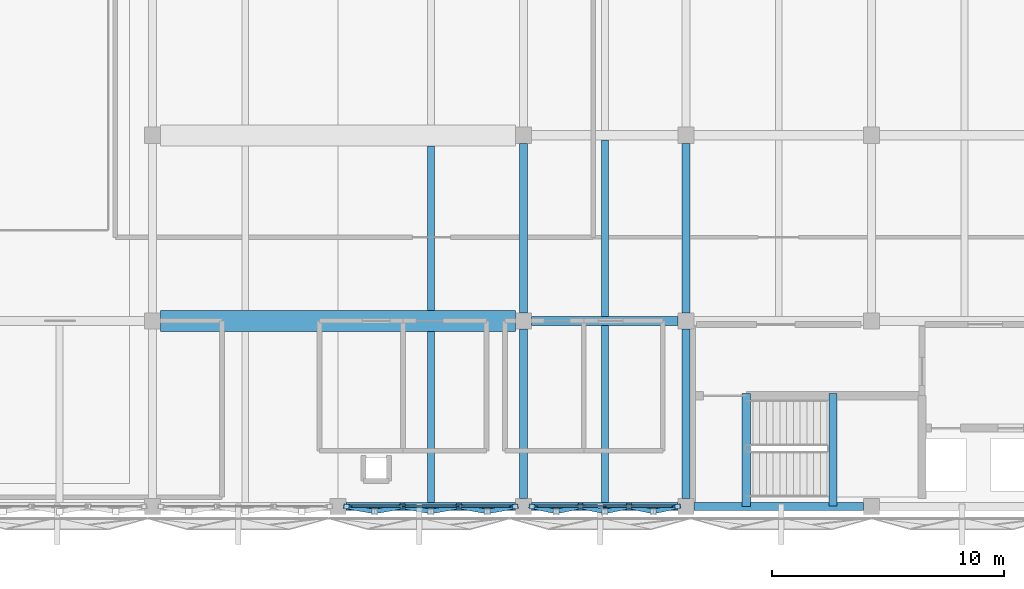
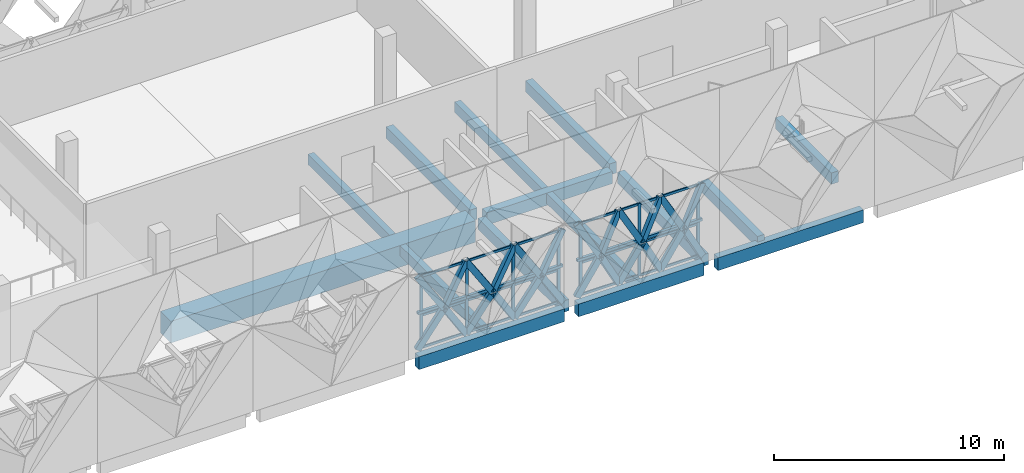
# One storey, part 12 of 37: 52 members, 15 beams, 2 elements without a shape of their own.
"""IFC4 building model written with IfcOpenShell, lengths in metres."""

from ifc_helpers import new_model, si_unit, direction, frame, origin, origin_2d, place, context, subcontext, project, spatial, rectangle, hollow_rectangle, extrude, material, layer, layer_set, material_profile, profile_set, type_object, element, aggregate, save


model = new_model("IFC4")

# Units and contexts
model_context = context("Model", 3, precision=1e-05, world=origin(), true_north=direction((0.0, 1.0)))
body_context = subcontext(model_context, "Body", "Model", "MODEL_VIEW")
ifc_project = project(units=[si_unit("LENGTHUNIT", "METRE"), si_unit("AREAUNIT", "SQUARE_METRE"), si_unit("VOLUMEUNIT", "CUBIC_METRE"), si_unit("PLANEANGLEUNIT", "RADIAN"), si_unit("MASSUNIT", "GRAM", prefix="KILO")], contexts=[model_context])

# Site, building, storey
site_placement = place(None, origin())
site = spatial("IfcSite", under=ifc_project, at=site_placement, CompositionType="ELEMENT")
building_placement = place(site_placement, origin())
building = spatial("IfcBuilding", under=site, at=building_placement, Name="Qorikala Patio Media Centre", CompositionType="ELEMENT")
storey_placement = place(building_placement, frame((0.0, 0.0, 14.39990234375)))
storey = spatial("IfcBuildingStorey", under=building, at=storey_placement, Name="L03", CompositionType="ELEMENT", Elevation=14.39990234375)

# Beams
ifc_material_1 = material(Name="Concrete C35/45", Category="concrete")
ifc_material_profile_1 = material_profile(ifc_material_1, rectangle(XDim=0.35009765625, YDim=0.60009765625, at=origin_2d()), Name="RC 350x600")
ifc_profile_set_1 = profile_set([ifc_material_profile_1], Name="Concrete C35/45")
beam_type_1 = type_object("IfcBeamType", Name="BM-G350X600", PredefinedType="BEAM", material=ifc_profile_set_1)
for number, where, z_axis, x_axis, name in (
    (1, (75.0, 3.35009765625, -0.599853515625), (0.0, 1.0, 0.0), (-1.0, 0.0, 0.0), "L03 Grid X=75 Beam 1250"),
    (2, (75.0, 11.35009765625, -0.599853515625), (0.0, 1.0, 0.0), (-1.0, 0.0, 0.0), "L03 Grid X=75 Beam 1251"),
    (3, (82.0, 3.35009765625, -0.599853515625), (0.0, 1.0, 0.0), (-1.0, 0.0, 0.0), "L03 Grid X=82 Beam 1256"),
    (4, (82.0, 11.35009765625, -0.599853515625), (0.0, 1.0, 0.0), (-1.0, 0.0, 0.0), "L03 Grid X=82 Beam 1257"),
):
    element("IfcBeam", number, at=place(storey_placement, frame(where, z_axis=z_axis, x_axis=x_axis)), inside=storey, type_object=beam_type_1, Name=name, PredefinedType="BEAM", context=body_context, shape_type="SweptSolid", body=[
        extrude(rectangle(XDim=0.35009765625, YDim=0.60009765625, at=origin_2d()), origin(), (0.0, 0.0, 1.0), 7.2998046875),
    ])
beam_1_placement = place(storey_placement, frame((84.60009765625, 3.0, -0.2998046875), z_axis=(0.0, 1.0, 0.0), x_axis=(-1.0, 0.0, 0.0)))
element("IfcBeam", 5, at=beam_1_placement, inside=storey, type_object=beam_type_1, Name="L03 ST-4 Well Trimmer Beam", PredefinedType="BEAM", context=body_context, shape_type="SweptSolid", body=[
    extrude(rectangle(XDim=0.35009765625, YDim=0.60009765625, at=origin_2d()), origin(), (0.0, 0.0, 1.0), 4.8798828125),
])
beam_2_placement = place(storey_placement, frame((88.330078125, 3.02001953125, 1.75), z_axis=(0.0, 1.0, 0.0), x_axis=(-1.0, 0.0, 0.0)))
element("IfcBeam", 6, at=beam_2_placement, inside=storey, type_object=beam_type_1, Name="L03 ST-4 Landing Beam 1", PredefinedType="BEAM", context=body_context, shape_type="SweptSolid", body=[
    extrude(rectangle(XDim=0.35009765625, YDim=0.60009765625, at=origin_2d()), origin(), (0.0, 0.0, 1.0), 4.85986328125),
])
ifc_material_profile_2 = material_profile(ifc_material_1, rectangle(XDim=0.39990234375, YDim=0.64990234375, at=origin_2d()), Name="RC 400x650")
ifc_profile_set_2 = profile_set([ifc_material_profile_2], Name="Concrete C35/45")
beam_type_2 = type_object("IfcBeamType", Name="BM-G400X650", PredefinedType="BEAM", material=ifc_profile_set_2)
beam_3_placement = place(storey_placement, frame((75.35009765625, 11.0, -0.625), z_axis=(1.0, 0.0, 0.0), x_axis=(0.0, 1.0, 0.0)))
element("IfcBeam", 7, at=beam_3_placement, inside=storey, type_object=beam_type_2, Name="L03 Grid 11 Beam 1123", PredefinedType="BEAM", context=body_context, shape_type="SweptSolid", body=[
    extrude(rectangle(XDim=0.39990234375, YDim=0.64990234375, at=origin_2d()), origin(), (0.0, 0.0, 1.0), 6.2998046875),
])
ifc_material_profile_3 = material_profile(ifc_material_1, rectangle(XDim=0.89990234375, YDim=1.14990234375, at=origin_2d()), Name="RC 900x1150")
ifc_profile_set_3 = profile_set([ifc_material_profile_3], Name="Concrete C35/45")
beam_type_3 = type_object("IfcBeamType", Name="BM-TR900X1150", PredefinedType="BEAM", material=ifc_profile_set_3)
beam_4_placement = place(storey_placement, frame((59.35009765625, 11.0, -0.875), z_axis=(1.0, 0.0, 0.0), x_axis=(0.0, 1.0, 0.0)))
element("IfcBeam", 8, at=beam_4_placement, inside=storey, type_object=beam_type_3, Name="L03 Grid 11 Beam 1122", PredefinedType="BEAM", context=body_context, shape_type="SweptSolid", body=[
    extrude(rectangle(XDim=0.89990234375, YDim=1.14990234375, at=origin_2d()), origin(), (0.0, 0.0, 1.0), 15.2998046875),
])

# Members
ifc_material_2 = material(Name="Golden Bronze Coated Steel S355", Category="steel")
ifc_material_profile_4 = material_profile(ifc_material_2, hollow_rectangle(XDim=0.139892578125, YDim=0.139892578125, WallThickness=0.006103515625, at=origin_2d()), Name="HSS140X140X6")
ifc_profile_set_4 = profile_set([ifc_material_profile_4], Name="Golden Bronze Coated Steel S355")
member_type_1 = type_object("IfcMemberType", Name="BRACE-DIA140", PredefinedType="BRACE", material=ifc_profile_set_4)
for number, where, z_axis, x_axis, name in (
    (9, (81.639892578125, 3.0, 1.925048828125), (-1.0, 0.0, 0.0), (0.0, -1.0, 0.0), "L03 Diamond Fold Tie 073"),
    (10, (79.546630859375, 3.0, 1.925048828125), (-1.0, 0.0, 0.0), (0.0, -1.0, 0.0), "L03 Diamond Fold Tie 074"),
    (11, (77.453369140625, 3.0, 1.925048828125), (-1.0, 0.0, 0.0), (0.0, -1.0, 0.0), "L03 Diamond Fold Tie 075"),
):
    element("IfcMember", number, at=place(storey_placement, frame(where, z_axis=z_axis, x_axis=x_axis)), inside=storey, type_object=member_type_1, Name=name, PredefinedType="BRACE", context=body_context, shape_type="SweptSolid", body=[
        extrude(hollow_rectangle(XDim=0.139892578125, YDim=0.139892578125, WallThickness=0.006103515625, at=origin_2d()), origin(), (0.0, 0.0, 1.0), 2.09326171875),
    ])
member_1_placement = place(storey_placement, frame((74.639892578125, 3.0, 1.925048828125), z_axis=(-1.0, 0.0, 0.0), x_axis=(0.0, -1.0, 0.0)))
element("IfcMember", 12, at=member_1_placement, inside=storey, type_object=member_type_1, Name="L03 Diamond Fold Tie 076", PredefinedType="BRACE", context=body_context, shape_type="SweptSolid", body=[
    extrude(hollow_rectangle(XDim=0.139892578125, YDim=0.139892578125, WallThickness=0.006103515625, at=origin_2d()), origin(), (0.0, 0.0, 1.0), 2.426513671875),
])
member_2_placement = place(storey_placement, frame((72.21337890625, 3.0, 1.925048828125), z_axis=(-1.0, 0.0, 0.0), x_axis=(0.0, -1.0, 0.0)))
element("IfcMember", 13, at=member_2_placement, inside=storey, type_object=member_type_1, Name="L03 Diamond Fold Tie 077", PredefinedType="BRACE", context=body_context, shape_type="SweptSolid", body=[
    extrude(hollow_rectangle(XDim=0.139892578125, YDim=0.139892578125, WallThickness=0.006103515625, at=origin_2d()), origin(), (0.0, 0.0, 1.0), 2.4267578125),
])
member_3_placement = place(storey_placement, frame((69.78662109375, 3.0, 1.925048828125), z_axis=(-1.0, 0.0, 0.0), x_axis=(0.0, -1.0, 0.0)))
element("IfcMember", 14, at=member_3_placement, inside=storey, type_object=member_type_1, Name="L03 Diamond Fold Tie 078", PredefinedType="BRACE", context=body_context, shape_type="SweptSolid", body=[
    extrude(hollow_rectangle(XDim=0.139892578125, YDim=0.139892578125, WallThickness=0.006103515625, at=origin_2d()), origin(), (0.0, 0.0, 1.0), 2.426513671875),
])

# Curtain wall, members
ifc_material_3 = material(Name="Golden Bronze Anodised Aluminium and Low-E Glass", Category="aluminium")
ifc_layer_1 = layer(ifc_material_3, 0.159912109375)
ifc_layer_set_1 = layer_set([ifc_layer_1], Name="Golden Bronze Anodised Aluminium and Low-E Glass")
curtain_wall_type_1 = type_object("IfcCurtainWallType", Name="CW-DIA-596X385", PredefinedType="USERDEFINED", material=ifc_layer_set_1)
curtain_wall_1_placement = place(storey_placement, origin())
curtain_wall_1 = element("IfcCurtainWall", 15, at=curtain_wall_1_placement, inside=storey, type_object=curtain_wall_type_1, Name="L03 Courtyard Curtain Wall 066", ObjectType="COURTYARD CURTAIN WALL", PredefinedType="USERDEFINED")
ifc_material_4 = material(Name="Golden Bronze Anodised Aluminium", Category="aluminium")
ifc_material_profile_5 = material_profile(ifc_material_4, rectangle(XDim=0.06494140625, YDim=0.14990234375, at=origin_2d()), Name="ALU MULLION 65x150")
ifc_profile_set_5 = profile_set([ifc_material_profile_5], Name="Golden Bronze Anodised Aluminium")
member_type_2 = type_object("IfcMemberType", Name="CWM-65X150", PredefinedType="MULLION", material=ifc_profile_set_5)
member_4_placement = place(storey_placement, frame((81.447509765625, 3.0, 0.0), z_axis=(0.0, 0.0, 1.0), x_axis=(0.0, -1.0, 0.0)))
member_4 = element("IfcMember", 16, at=member_4_placement, type_object=member_type_2, Name="CWD596385 mullion 1", PredefinedType="MULLION", context=body_context, shape_type="SweptSolid", body=[
    extrude(rectangle(XDim=0.06494140625, YDim=0.14990234375, at=origin_2d()), origin(), (0.0, 0.0, 1.0), 3.85009765625),
])
member_5_placement = place(storey_placement, frame((78.5, 3.0, 0.0), z_axis=(0.0, 0.0, 1.0), x_axis=(0.0, -1.0, 0.0)))
member_5 = element("IfcMember", 17, at=member_5_placement, type_object=member_type_2, Name="CWD596385 mullion 2", PredefinedType="MULLION", context=body_context, shape_type="SweptSolid", body=[
    extrude(rectangle(XDim=0.06494140625, YDim=0.14990234375, at=origin_2d()), origin(), (0.0, 0.0, 1.0), 3.85009765625),
])
member_6_placement = place(storey_placement, frame((75.552490234375, 3.0, 0.0), z_axis=(0.0, 0.0, 1.0), x_axis=(0.0, -1.0, 0.0)))
member_6 = element("IfcMember", 18, at=member_6_placement, type_object=member_type_2, Name="CWD596385 mullion 3", PredefinedType="MULLION", context=body_context, shape_type="SweptSolid", body=[
    extrude(rectangle(XDim=0.06494140625, YDim=0.14990234375, at=origin_2d()), origin(), (0.0, 0.0, 1.0), 3.85009765625),
])

ifc_layer_2 = layer(ifc_material_3, 0.159912109375)
ifc_layer_set_2 = layer_set([ifc_layer_2], Name="Golden Bronze Anodised Aluminium and Low-E Glass")
curtain_wall_type_2 = type_object("IfcCurtainWallType", Name="CW-DIA-696X385", PredefinedType="USERDEFINED", material=ifc_layer_set_2)
curtain_wall_2_placement = place(storey_placement, origin())
curtain_wall_2 = element("IfcCurtainWall", 19, at=curtain_wall_2_placement, inside=storey, type_object=curtain_wall_type_2, Name="L03 Courtyard Curtain Wall 067", ObjectType="COURTYARD CURTAIN WALL", PredefinedType="USERDEFINED")
member_7_placement = place(storey_placement, frame((74.447509765625, 3.0, 0.0), z_axis=(0.0, 0.0, 1.0), x_axis=(0.0, -1.0, 0.0)))
member_7 = element("IfcMember", 20, at=member_7_placement, type_object=member_type_2, Name="CWD696385 mullion 1", PredefinedType="MULLION", context=body_context, shape_type="SweptSolid", body=[
    extrude(rectangle(XDim=0.06494140625, YDim=0.14990234375, at=origin_2d()), origin(), (0.0, 0.0, 1.0), 3.85009765625),
])
member_8_placement = place(storey_placement, frame((72.159912109375, 3.0, 0.0), z_axis=(0.0, 0.0, 1.0), x_axis=(0.0, -1.0, 0.0)))
member_8 = element("IfcMember", 21, at=member_8_placement, type_object=member_type_2, Name="CWD696385 mullion 2", PredefinedType="MULLION", context=body_context, shape_type="SweptSolid", body=[
    extrude(rectangle(XDim=0.06494140625, YDim=0.14990234375, at=origin_2d()), origin(), (0.0, 0.0, 1.0), 3.85009765625),
])
member_9_placement = place(storey_placement, frame((69.840087890625, 3.0, 0.0), z_axis=(0.0, 0.0, 1.0), x_axis=(0.0, -1.0, 0.0)))
member_9 = element("IfcMember", 22, at=member_9_placement, type_object=member_type_2, Name="CWD696385 mullion 3", PredefinedType="MULLION", context=body_context, shape_type="SweptSolid", body=[
    extrude(rectangle(XDim=0.06494140625, YDim=0.14990234375, at=origin_2d()), origin(), (0.0, 0.0, 1.0), 3.85009765625),
])
member_10_placement = place(storey_placement, frame((67.552490234375, 3.0, 0.0), z_axis=(0.0, 0.0, 1.0), x_axis=(0.0, -1.0, 0.0)))
member_10 = element("IfcMember", 23, at=member_10_placement, type_object=member_type_2, Name="CWD696385 mullion 4", PredefinedType="MULLION", context=body_context, shape_type="SweptSolid", body=[
    extrude(rectangle(XDim=0.06494140625, YDim=0.14990234375, at=origin_2d()), origin(), (0.0, 0.0, 1.0), 3.85009765625),
])

# Member
ifc_material_profile_6 = material_profile(ifc_material_4, rectangle(XDim=0.06494140625, YDim=0.1201171875, at=origin_2d()), Name="ALU TRANSOM 65x120")
ifc_profile_set_6 = profile_set([ifc_material_profile_6], Name="Golden Bronze Anodised Aluminium")
member_type_3 = type_object("IfcMemberType", Name="CWT-65X120", PredefinedType="USERDEFINED", material=ifc_profile_set_6)
member_11_placement = place(storey_placement, frame((81.4150390625, 3.0, 0.03271484375), z_axis=(-1.0, 0.0, 0.0), x_axis=(0.0, -1.0, 0.0)))
member_11 = element("IfcMember", 24, at=member_11_placement, type_object=member_type_3, Name="CWD596385 transom 1.1", ObjectType="TRANSOM", PredefinedType="USERDEFINED", context=body_context, shape_type="SweptSolid", body=[
    extrude(rectangle(XDim=0.06494140625, YDim=0.1201171875, at=origin_2d()), origin(), (0.0, 0.0, 1.0), 2.882568359375),
])

member_12_placement = place(storey_placement, frame((81.4150390625, 3.0, 1.732666015625), z_axis=(-1.0, 0.0, 0.0), x_axis=(0.0, -1.0, 0.0)))
member_12 = element("IfcMember", 25, at=member_12_placement, type_object=member_type_3, Name="CWD596385 transom 1.2", ObjectType="TRANSOM", PredefinedType="USERDEFINED", context=body_context, shape_type="SweptSolid", body=[
    extrude(rectangle(XDim=0.06494140625, YDim=0.1201171875, at=origin_2d()), origin(), (0.0, 0.0, 1.0), 2.882568359375),
])

member_13_placement = place(storey_placement, frame((81.4150390625, 3.0, 3.817626953125), z_axis=(-1.0, 0.0, 0.0), x_axis=(0.0, -1.0, 0.0)))
member_13 = element("IfcMember", 26, at=member_13_placement, type_object=member_type_3, Name="CWD596385 transom 1.3", ObjectType="TRANSOM", PredefinedType="USERDEFINED", context=body_context, shape_type="SweptSolid", body=[
    extrude(rectangle(XDim=0.06494140625, YDim=0.1201171875, at=origin_2d()), origin(), (0.0, 0.0, 1.0), 2.882568359375),
])

member_14_placement = place(storey_placement, frame((78.467529296875, 3.0, 0.03271484375), z_axis=(-1.0, 0.0, 0.0), x_axis=(0.0, -1.0, 0.0)))
member_14 = element("IfcMember", 27, at=member_14_placement, type_object=member_type_3, Name="CWD596385 transom 2.1", ObjectType="TRANSOM", PredefinedType="USERDEFINED", context=body_context, shape_type="SweptSolid", body=[
    extrude(rectangle(XDim=0.06494140625, YDim=0.1201171875, at=origin_2d()), origin(), (0.0, 0.0, 1.0), 2.882568359375),
])

member_15_placement = place(storey_placement, frame((78.467529296875, 3.0, 1.732666015625), z_axis=(-1.0, 0.0, 0.0), x_axis=(0.0, -1.0, 0.0)))
member_15 = element("IfcMember", 28, at=member_15_placement, type_object=member_type_3, Name="CWD596385 transom 2.2", ObjectType="TRANSOM", PredefinedType="USERDEFINED", context=body_context, shape_type="SweptSolid", body=[
    extrude(rectangle(XDim=0.06494140625, YDim=0.1201171875, at=origin_2d()), origin(), (0.0, 0.0, 1.0), 2.882568359375),
])

member_16_placement = place(storey_placement, frame((78.467529296875, 3.0, 3.817626953125), z_axis=(-1.0, 0.0, 0.0), x_axis=(0.0, -1.0, 0.0)))
member_16 = element("IfcMember", 29, at=member_16_placement, type_object=member_type_3, Name="CWD596385 transom 2.3", ObjectType="TRANSOM", PredefinedType="USERDEFINED", context=body_context, shape_type="SweptSolid", body=[
    extrude(rectangle(XDim=0.06494140625, YDim=0.1201171875, at=origin_2d()), origin(), (0.0, 0.0, 1.0), 2.882568359375),
])

aggregate(curtain_wall_1, [member_4, member_5, member_6, member_11, member_12, member_13, member_14, member_15, member_16])

member_17_placement = place(storey_placement, frame((74.4150390625, 3.0, 0.03271484375), z_axis=(-1.0, 0.0, 0.0), x_axis=(0.0, -1.0, 0.0)))
member_17 = element("IfcMember", 30, at=member_17_placement, type_object=member_type_3, Name="CWD696385 transom 1.1", ObjectType="TRANSOM", PredefinedType="USERDEFINED", context=body_context, shape_type="SweptSolid", body=[
    extrude(rectangle(XDim=0.06494140625, YDim=0.1201171875, at=origin_2d()), origin(), (0.0, 0.0, 1.0), 2.22265625),
])

member_18_placement = place(storey_placement, frame((74.4150390625, 3.0, 1.732666015625), z_axis=(-1.0, 0.0, 0.0), x_axis=(0.0, -1.0, 0.0)))
member_18 = element("IfcMember", 31, at=member_18_placement, type_object=member_type_3, Name="CWD696385 transom 1.2", ObjectType="TRANSOM", PredefinedType="USERDEFINED", context=body_context, shape_type="SweptSolid", body=[
    extrude(rectangle(XDim=0.06494140625, YDim=0.1201171875, at=origin_2d()), origin(), (0.0, 0.0, 1.0), 2.22265625),
])

member_19_placement = place(storey_placement, frame((74.4150390625, 3.0, 3.817626953125), z_axis=(-1.0, 0.0, 0.0), x_axis=(0.0, -1.0, 0.0)))
member_19 = element("IfcMember", 32, at=member_19_placement, type_object=member_type_3, Name="CWD696385 transom 1.3", ObjectType="TRANSOM", PredefinedType="USERDEFINED", context=body_context, shape_type="SweptSolid", body=[
    extrude(rectangle(XDim=0.06494140625, YDim=0.1201171875, at=origin_2d()), origin(), (0.0, 0.0, 1.0), 2.22265625),
])

member_20_placement = place(storey_placement, frame((72.12744140625, 3.0, 0.03271484375), z_axis=(-1.0, 0.0, 0.0), x_axis=(0.0, -1.0, 0.0)))
member_20 = element("IfcMember", 33, at=member_20_placement, type_object=member_type_3, Name="CWD696385 transom 2.1", ObjectType="TRANSOM", PredefinedType="USERDEFINED", context=body_context, shape_type="SweptSolid", body=[
    extrude(rectangle(XDim=0.06494140625, YDim=0.1201171875, at=origin_2d()), origin(), (0.0, 0.0, 1.0), 2.2548828125),
])

member_21_placement = place(storey_placement, frame((72.12744140625, 3.0, 1.732666015625), z_axis=(-1.0, 0.0, 0.0), x_axis=(0.0, -1.0, 0.0)))
member_21 = element("IfcMember", 34, at=member_21_placement, type_object=member_type_3, Name="CWD696385 transom 2.2", ObjectType="TRANSOM", PredefinedType="USERDEFINED", context=body_context, shape_type="SweptSolid", body=[
    extrude(rectangle(XDim=0.06494140625, YDim=0.1201171875, at=origin_2d()), origin(), (0.0, 0.0, 1.0), 2.2548828125),
])

member_22_placement = place(storey_placement, frame((72.12744140625, 3.0, 3.817626953125), z_axis=(-1.0, 0.0, 0.0), x_axis=(0.0, -1.0, 0.0)))
member_22 = element("IfcMember", 35, at=member_22_placement, type_object=member_type_3, Name="CWD696385 transom 2.3", ObjectType="TRANSOM", PredefinedType="USERDEFINED", context=body_context, shape_type="SweptSolid", body=[
    extrude(rectangle(XDim=0.06494140625, YDim=0.1201171875, at=origin_2d()), origin(), (0.0, 0.0, 1.0), 2.2548828125),
])

member_23_placement = place(storey_placement, frame((69.8076171875, 3.0, 0.03271484375), z_axis=(-1.0, 0.0, 0.0), x_axis=(0.0, -1.0, 0.0)))
member_23 = element("IfcMember", 36, at=member_23_placement, type_object=member_type_3, Name="CWD696385 transom 3.1", ObjectType="TRANSOM", PredefinedType="USERDEFINED", context=body_context, shape_type="SweptSolid", body=[
    extrude(rectangle(XDim=0.06494140625, YDim=0.1201171875, at=origin_2d()), origin(), (0.0, 0.0, 1.0), 2.22265625),
])

member_24_placement = place(storey_placement, frame((69.8076171875, 3.0, 1.732666015625), z_axis=(-1.0, 0.0, 0.0), x_axis=(0.0, -1.0, 0.0)))
member_24 = element("IfcMember", 37, at=member_24_placement, type_object=member_type_3, Name="CWD696385 transom 3.2", ObjectType="TRANSOM", PredefinedType="USERDEFINED", context=body_context, shape_type="SweptSolid", body=[
    extrude(rectangle(XDim=0.06494140625, YDim=0.1201171875, at=origin_2d()), origin(), (0.0, 0.0, 1.0), 2.22265625),
])

member_25_placement = place(storey_placement, frame((69.8076171875, 3.0, 3.817626953125), z_axis=(-1.0, 0.0, 0.0), x_axis=(0.0, -1.0, 0.0)))
member_25 = element("IfcMember", 38, at=member_25_placement, type_object=member_type_3, Name="CWD696385 transom 3.3", ObjectType="TRANSOM", PredefinedType="USERDEFINED", context=body_context, shape_type="SweptSolid", body=[
    extrude(rectangle(XDim=0.06494140625, YDim=0.1201171875, at=origin_2d()), origin(), (0.0, 0.0, 1.0), 2.22265625),
])

aggregate(curtain_wall_2, [member_7, member_8, member_9, member_10, member_17, member_18, member_19, member_20, member_21, member_22, member_23, member_24, member_25])

# Beams
ifc_material_profile_7 = material_profile(ifc_material_1, rectangle(XDim=0.300048828125, YDim=0.550048828125, at=origin_2d()), Name="RC 300x550")
ifc_profile_set_7 = profile_set([ifc_material_profile_7], Name="Concrete C35/45")
beam_type_4 = type_object("IfcBeamType", Name="JS-300X550", PredefinedType="JOIST", material=ifc_profile_set_7)
beam_5_placement = place(storey_placement, frame((71.0, 3.175048828125, -0.574951171875), z_axis=(0.0, 1.0, 0.0), x_axis=(-1.0, 0.0, 0.0)))
element("IfcBeam", 39, at=beam_5_placement, inside=storey, type_object=beam_type_4, Name="L03 Secondary Joist 1305", PredefinedType="JOIST", context=body_context, shape_type="SweptSolid", body=[
    extrude(rectangle(XDim=0.300048828125, YDim=0.550048828125, at=origin_2d()), origin(), (0.0, 0.0, 1.0), 7.375),
])
beam_6_placement = place(storey_placement, frame((71.0, 11.449951171875, -0.574951171875), z_axis=(0.0, 1.0, 0.0), x_axis=(-1.0, 0.0, 0.0)))
element("IfcBeam", 40, at=beam_6_placement, inside=storey, type_object=beam_type_4, Name="L03 Secondary Joist 1306", PredefinedType="JOIST", context=body_context, shape_type="SweptSolid", body=[
    extrude(rectangle(XDim=0.300048828125, YDim=0.550048828125, at=origin_2d()), origin(), (0.0, 0.0, 1.0), 7.10009765625),
])
beam_7_placement = place(storey_placement, frame((78.5, 3.175048828125, -0.574951171875), z_axis=(0.0, 1.0, 0.0), x_axis=(-1.0, 0.0, 0.0)))
element("IfcBeam", 41, at=beam_7_placement, inside=storey, type_object=beam_type_4, Name="L03 Secondary Joist 1311", PredefinedType="JOIST", context=body_context, shape_type="SweptSolid", body=[
    extrude(rectangle(XDim=0.300048828125, YDim=0.550048828125, at=origin_2d()), origin(), (0.0, 0.0, 1.0), 7.625),
])
beam_8_placement = place(storey_placement, frame((78.5, 11.199951171875, -0.574951171875), z_axis=(0.0, 1.0, 0.0), x_axis=(-1.0, 0.0, 0.0)))
element("IfcBeam", 42, at=beam_8_placement, inside=storey, type_object=beam_type_4, Name="L03 Secondary Joist 1312", PredefinedType="JOIST", context=body_context, shape_type="SweptSolid", body=[
    extrude(rectangle(XDim=0.300048828125, YDim=0.550048828125, at=origin_2d()), origin(), (0.0, 0.0, 1.0), 7.60009765625),
])
ifc_material_profile_8 = material_profile(ifc_material_1, rectangle(XDim=0.35009765625, YDim=0.679931640625, at=origin_2d()), Name="RC 350x680")
ifc_profile_set_8 = profile_set([ifc_material_profile_8], Name="Concrete C35/45")
beam_type_5 = type_object("IfcBeamType", Name="SP-350X680", PredefinedType="SPANDREL", material=ifc_profile_set_8)
beam_9_placement = place(storey_placement, frame((67.35009765625, 3.0, -0.639892578125), z_axis=(1.0, 0.0, 0.0), x_axis=(0.0, 1.0, 0.0)))
element("IfcBeam", 43, at=beam_9_placement, inside=storey, type_object=beam_type_5, Name="L03 Grid 3 Beam 1111", PredefinedType="SPANDREL", context=body_context, shape_type="SweptSolid", body=[
    extrude(rectangle(XDim=0.35009765625, YDim=0.679931640625, at=origin_2d()), origin(), (0.0, 0.0, 1.0), 7.2998046875),
])
beam_10_placement = place(storey_placement, frame((75.35009765625, 3.0, -0.639892578125), z_axis=(1.0, 0.0, 0.0), x_axis=(0.0, 1.0, 0.0)))
element("IfcBeam", 44, at=beam_10_placement, inside=storey, type_object=beam_type_5, Name="L03 Grid 3 Beam 1112", PredefinedType="SPANDREL", context=body_context, shape_type="SweptSolid", body=[
    extrude(rectangle(XDim=0.35009765625, YDim=0.679931640625, at=origin_2d()), origin(), (0.0, 0.0, 1.0), 6.2998046875),
])
beam_11_placement = place(storey_placement, frame((82.35009765625, 3.0, -0.639892578125), z_axis=(1.0, 0.0, 0.0), x_axis=(0.0, 1.0, 0.0)))
element("IfcBeam", 45, at=beam_11_placement, inside=storey, type_object=beam_type_5, Name="L03 Grid 3 Beam 1113", PredefinedType="SPANDREL", context=body_context, shape_type="SweptSolid", body=[
    extrude(rectangle(XDim=0.35009765625, YDim=0.679931640625, at=origin_2d()), origin(), (0.0, 0.0, 1.0), 7.2998046875),
])

# Members
ifc_material_profile_9 = material_profile(ifc_material_2, hollow_rectangle(XDim=0.199951171875, YDim=0.300048828125, WallThickness=0.011962890625, at=origin_2d()), Name="HSS300X200X12")
ifc_profile_set_9 = profile_set([ifc_material_profile_9], Name="Golden Bronze Coated Steel S355")
member_type_4 = type_object("IfcMemberType", Name="STRUT-DIA300", PredefinedType="STRUT", material=ifc_profile_set_9)
for number, where, z_axis, x_axis, name in (
    (46, (81.639892578125, 3.0, 0.0), (-0.475284177813, -0.099558010654, 0.87418141872), (0.205020837962, -0.9787576084, 0.0), "L03 Diamond Foyer Fold Strut 073-DL1"),
    (47, (79.546630859375, 3.0, 0.0), (0.475284177813, -0.099558010654, 0.87418141872), (0.205020837962, 0.9787576084, 0.0), "L03 Diamond Foyer Fold Strut 073-DL2"),
    (48, (80.59326171875, 2.78076171875, 1.925048828125), (0.475284177813, 0.099558010654, 0.87418141872), (-0.205020837962, 0.9787576084, 0.0), "L03 Diamond Foyer Fold Strut 073-DU1"),
    (49, (80.59326171875, 2.78076171875, 1.925048828125), (-0.475284177813, 0.099558010654, 0.87418141872), (-0.205020837962, -0.9787576084, 0.0), "L03 Diamond Foyer Fold Strut 073-DU2"),
    (50, (79.546630859375, 3.0, 0.0), (-0.475284177813, -0.099558010654, 0.87418141872), (0.205020837962, -0.9787576084, 0.0), "L03 Diamond Foyer Fold Strut 074-DL1"),
    (51, (77.453369140625, 3.0, 0.0), (0.475284177813, -0.099558010654, 0.87418141872), (0.205020837962, 0.9787576084, 0.0), "L03 Diamond Foyer Fold Strut 074-DL2"),
    (52, (78.5, 2.78076171875, 1.925048828125), (0.475284177813, 0.099558010654, 0.87418141872), (-0.205020837962, 0.9787576084, 0.0), "L03 Diamond Foyer Fold Strut 074-DU1"),
    (53, (78.5, 2.78076171875, 1.925048828125), (-0.475284177813, 0.099558010654, 0.87418141872), (-0.205020837962, -0.9787576084, 0.0), "L03 Diamond Foyer Fold Strut 074-DU2"),
    (54, (77.453369140625, 3.0, 0.0), (-0.475284177813, -0.099558010654, 0.87418141872), (0.205020837962, -0.9787576084, 0.0), "L03 Diamond Foyer Fold Strut 075-DL1"),
    (55, (75.360107421875, 3.0, 0.0), (0.475284177813, -0.099558010654, 0.87418141872), (0.205020837962, 0.9787576084, 0.0), "L03 Diamond Foyer Fold Strut 075-DL2"),
    (56, (76.40673828125, 2.78076171875, 1.925048828125), (0.475284177813, 0.099558010654, 0.87418141872), (-0.205020837962, 0.9787576084, 0.0), "L03 Diamond Foyer Fold Strut 075-DU1"),
    (57, (76.40673828125, 2.78076171875, 1.925048828125), (-0.475284177813, 0.099558010654, 0.87418141872), (-0.205020837962, -0.9787576084, 0.0), "L03 Diamond Foyer Fold Strut 075-DU2"),
):
    element("IfcMember", number, at=place(storey_placement, frame(where, z_axis=z_axis, x_axis=x_axis)), inside=storey, type_object=member_type_4, Name=name, PredefinedType="STRUT", context=body_context, shape_type="SweptSolid", body=[
        extrude(hollow_rectangle(XDim=0.199951171875, YDim=0.300048828125, WallThickness=0.011962890625, at=origin_2d()), origin(), (0.0, 0.0, 1.0), 2.2021484375),
    ])
member_26_placement = place(storey_placement, frame((74.639892578125, 3.0, 0.0), z_axis=(-0.530691378365, -0.095906793675, 0.842121456713), x_axis=(0.17783968734, -0.984059472596, 0.0)))
element("IfcMember", 58, at=member_26_placement, inside=storey, type_object=member_type_4, Name="L03 Diamond Foyer Fold Strut 076-DL1", PredefinedType="STRUT", context=body_context, shape_type="SweptSolid", body=[
    extrude(hollow_rectangle(XDim=0.199951171875, YDim=0.300048828125, WallThickness=0.011962890625, at=origin_2d()), origin(), (0.0, 0.0, 1.0), 2.285888671875),
])
member_27_placement = place(storey_placement, frame((72.21337890625, 3.0, 0.0), z_axis=(0.530768093717, -0.095901357778, 0.842073726148), x_axis=(0.177805036072, 0.98406573416, 0.0)))
element("IfcMember", 59, at=member_27_placement, inside=storey, type_object=member_type_4, Name="L03 Diamond Foyer Fold Strut 076-DL2", PredefinedType="STRUT", context=body_context, shape_type="SweptSolid", body=[
    extrude(hollow_rectangle(XDim=0.199951171875, YDim=0.300048828125, WallThickness=0.011962890625, at=origin_2d()), origin(), (0.0, 0.0, 1.0), 2.2861328125),
])
member_28_placement = place(storey_placement, frame((73.4267578125, 2.78076171875, 1.925048828125), z_axis=(0.530691378365, 0.095906793675, 0.842121456713), x_axis=(-0.17783968734, 0.984059472596, 0.0)))
element("IfcMember", 60, at=member_28_placement, inside=storey, type_object=member_type_4, Name="L03 Diamond Foyer Fold Strut 076-DU1", PredefinedType="STRUT", context=body_context, shape_type="SweptSolid", body=[
    extrude(hollow_rectangle(XDim=0.199951171875, YDim=0.300048828125, WallThickness=0.011962890625, at=origin_2d()), origin(), (0.0, 0.0, 1.0), 2.285888671875),
])
for number, where, z_axis, x_axis, name in (
    (61, (73.4267578125, 2.78076171875, 1.925048828125), (-0.530768093717, 0.095901357778, 0.842073726148), (-0.177805036072, -0.98406573416, 0.0), "L03 Diamond Foyer Fold Strut 076-DU2"),
    (62, (72.21337890625, 3.0, 0.0), (-0.530768093717, -0.095901357778, 0.842073726148), (0.177805036072, -0.98406573416, 0.0), "L03 Diamond Foyer Fold Strut 077-DL1"),
    (63, (69.78662109375, 3.0, 0.0), (0.530768093717, -0.095901357778, 0.842073726148), (0.177805036072, 0.98406573416, 0.0), "L03 Diamond Foyer Fold Strut 077-DL2"),
    (64, (71.0, 2.78076171875, 1.925048828125), (0.530768093717, 0.095901357778, 0.842073726148), (-0.177805036072, 0.98406573416, 0.0), "L03 Diamond Foyer Fold Strut 077-DU1"),
    (65, (71.0, 2.78076171875, 1.925048828125), (-0.530768093717, 0.095901357778, 0.842073726148), (-0.177805036072, -0.98406573416, 0.0), "L03 Diamond Foyer Fold Strut 077-DU2"),
    (66, (69.78662109375, 3.0, 0.0), (-0.530768093717, -0.095901357778, 0.842073726148), (0.177805036072, -0.98406573416, 0.0), "L03 Diamond Foyer Fold Strut 078-DL1"),
):
    element("IfcMember", number, at=place(storey_placement, frame(where, z_axis=z_axis, x_axis=x_axis)), inside=storey, type_object=member_type_4, Name=name, PredefinedType="STRUT", context=body_context, shape_type="SweptSolid", body=[
        extrude(hollow_rectangle(XDim=0.199951171875, YDim=0.300048828125, WallThickness=0.011962890625, at=origin_2d()), origin(), (0.0, 0.0, 1.0), 2.2861328125),
    ])
member_29_placement = place(storey_placement, frame((67.360107421875, 3.0, 0.0), z_axis=(0.530691378365, -0.095906793675, 0.842121456713), x_axis=(0.17783968734, 0.984059472596, 0.0)))
element("IfcMember", 67, at=member_29_placement, inside=storey, type_object=member_type_4, Name="L03 Diamond Foyer Fold Strut 078-DL2", PredefinedType="STRUT", context=body_context, shape_type="SweptSolid", body=[
    extrude(hollow_rectangle(XDim=0.199951171875, YDim=0.300048828125, WallThickness=0.011962890625, at=origin_2d()), origin(), (0.0, 0.0, 1.0), 2.285888671875),
])
member_30_placement = place(storey_placement, frame((68.5732421875, 2.78076171875, 1.925048828125), z_axis=(0.530768093717, 0.095901357778, 0.842073726148), x_axis=(-0.177805036072, 0.98406573416, 0.0)))
element("IfcMember", 68, at=member_30_placement, inside=storey, type_object=member_type_4, Name="L03 Diamond Foyer Fold Strut 078-DU1", PredefinedType="STRUT", context=body_context, shape_type="SweptSolid", body=[
    extrude(hollow_rectangle(XDim=0.199951171875, YDim=0.300048828125, WallThickness=0.011962890625, at=origin_2d()), origin(), (0.0, 0.0, 1.0), 2.2861328125),
])
member_31_placement = place(storey_placement, frame((68.5732421875, 2.78076171875, 1.925048828125), z_axis=(-0.530691378365, 0.095906793675, 0.842121456713), x_axis=(-0.17783968734, -0.984059472596, 0.0)))
element("IfcMember", 69, at=member_31_placement, inside=storey, type_object=member_type_4, Name="L03 Diamond Foyer Fold Strut 078-DU2", PredefinedType="STRUT", context=body_context, shape_type="SweptSolid", body=[
    extrude(hollow_rectangle(XDim=0.199951171875, YDim=0.300048828125, WallThickness=0.011962890625, at=origin_2d()), origin(), (0.0, 0.0, 1.0), 2.285888671875),
])

save(model, "model.ifc")
